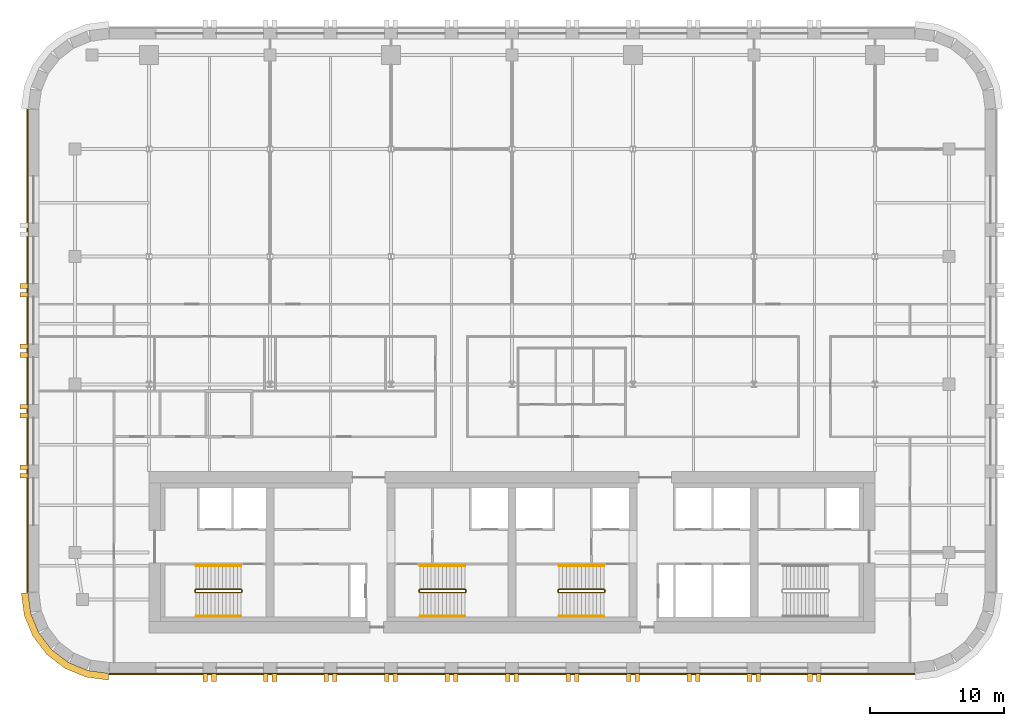
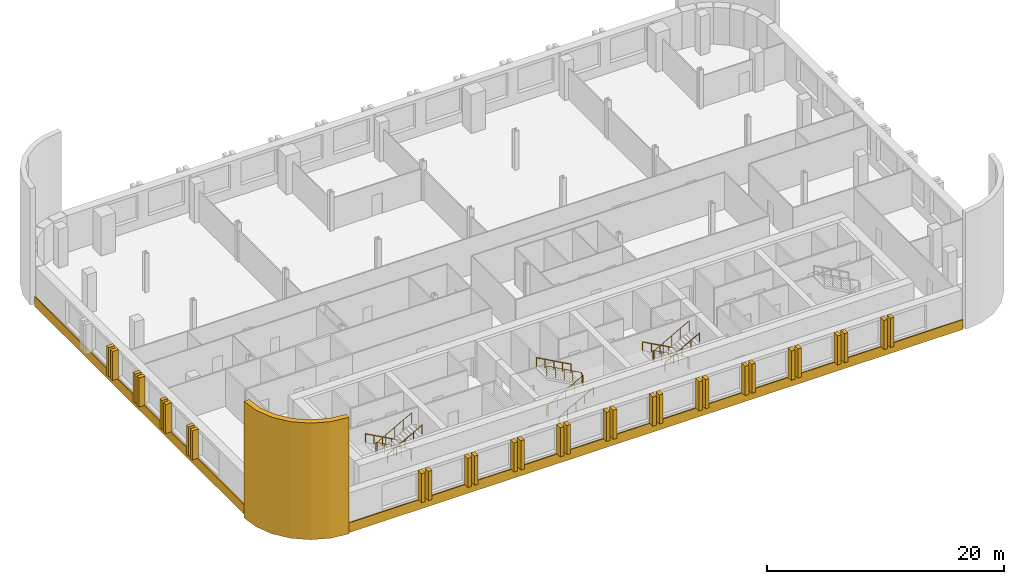
# One storey, part 8 of 9: 33 coverings, 9 railings.
"""IFC4 building model written with IfcOpenShell, lengths in metres."""

from ifc_helpers import new_model, si_unit, direction, frame, origin, origin_2d, place, context, subcontext, project, spatial, polyline, circle, outline, extrude, material, layer, layer_set, type_object, element, save


model = new_model("IFC4")

# Units and contexts
model_context = context("Model", 3, precision=1e-05, world=origin(), true_north=direction((0.0, 1.0)))
body_context = subcontext(model_context, "Body", "Model", "MODEL_VIEW")
ifc_project = project(units=[si_unit("LENGTHUNIT", "METRE"), si_unit("AREAUNIT", "SQUARE_METRE"), si_unit("VOLUMEUNIT", "CUBIC_METRE"), si_unit("PLANEANGLEUNIT", "RADIAN"), si_unit("MASSUNIT", "GRAM", prefix="KILO")], contexts=[model_context])

# Site, building, storey
site_placement = place(None, origin())
site = spatial("IfcSite", under=ifc_project, at=site_placement, CompositionType="ELEMENT")
building_placement = place(site_placement, origin())
building = spatial("IfcBuilding", under=site, at=building_placement, Name="Zellij Exchange Tower", CompositionType="ELEMENT")
storey_placement = place(building_placement, frame((0.0, 0.0, 200.5)))
storey = spatial("IfcBuildingStorey", under=building, at=storey_placement, Name="L46", CompositionType="ELEMENT", Elevation=200.5)

# Railings
ifc_material_1 = material(Name="Stainless steel", Category="steel")
railing_type_1 = type_object("IfcRailingType", Name="CORE-RG stair guard", PredefinedType="GUARDRAIL", material=ifc_material_1)
railing_1_placement = place(storey_placement, frame((-20.10009765625, -10.800048828125, 0.0)))
element("IfcRailing", 1, at=railing_1_placement, inside=storey, type_object=railing_type_1, Name="ST1 stair guard L46", PredefinedType="GUARDRAIL", context=body_context, shape_type="SweptSolid", body=[
    extrude(circle(Radius=0.02392578125, at=origin_2d()), frame((0.0, 0.0, 1.076171875), z_axis=(0.0, -1.0, 0.0), x_axis=(1.0, 0.0, 0.0)), (0.0, 0.0, 1.0), 0.14990234375),
    extrude(circle(Radius=0.02392578125, at=origin_2d()), frame((0.0, -0.14990234375, 1.076171875), z_axis=(-0.193691321961, 0.777613689637, 0.598164376644), x_axis=(-0.970351222016, -0.241699205484, 0.0)), (0.0, 0.0, 1.0), 0.257080078125),
    extrude(circle(Radius=0.02392578125, at=origin_2d()), frame((-0.0498046875, 0.050048828125, 1.22998046875), z_axis=(-0.876421534553, 0.0, 0.481544695509), x_axis=(0.0, -1.0, 0.0)), (0.0, 0.0, 1.0), 3.833984375),
    extrude(circle(Radius=0.02392578125, at=origin_2d()), frame((-3.409912109375, 0.050048828125, 3.076171875), z_axis=(-0.707106781187, -0.707106781187, 0.0), x_axis=(0.707106781187, -0.707106781187, 0.0)), (0.0, 0.0, 1.0), 0.07080078125),
    extrude(circle(Radius=0.02392578125, at=origin_2d()), frame((-3.4599609375, 0.0, 3.076171875), z_axis=(0.0, -1.0, 0.0), x_axis=(1.0, 0.0, 0.0)), (0.0, 0.0, 1.0), 0.14990234375),
    extrude(circle(Radius=0.02392578125, at=origin_2d()), frame((-3.4599609375, -0.14990234375, 3.076171875), z_axis=(0.295599637079, -0.295599637079, 0.908428152975), x_axis=(0.707106781187, 0.707106781187, 0.0)), (0.0, 0.0, 1.0), 0.16943359375),
    extrude(circle(Radius=0.02392578125, at=origin_2d()), frame((-3.409912109375, -0.199951171875, 3.22998046875), z_axis=(0.876421534553, 0.0, 0.481544695509), x_axis=(0.0, 1.0, 0.0)), (0.0, 0.0, 1.0), 3.833984375),
    extrude(circle(Radius=0.02099609375, at=origin_2d()), origin(), (0.0, 0.0, 1.0), 1.052001953125),
    extrude(circle(Radius=0.02099609375, at=origin_2d()), frame((0.0, -0.14990234375, 0.0)), (0.0, 0.0, 1.0), 1.052001953125),
    extrude(circle(Radius=0.02099609375, at=origin_2d()), frame((-0.0498046875, 0.050048828125, 0.15380859375)), (0.0, 0.0, 1.0), 1.052001953125),
    extrude(circle(Radius=0.02099609375, at=origin_2d()), frame((-0.889892578125, 0.050048828125, 0.615234375)), (0.0, 0.0, 1.0), 1.052001953125),
    extrude(circle(Radius=0.02099609375, at=origin_2d()), frame((-1.72998046875, 0.050048828125, 1.076904296875)), (0.0, 0.0, 1.0), 1.052001953125),
    extrude(circle(Radius=0.02099609375, at=origin_2d()), frame((-2.56982421875, 0.050048828125, 1.53857421875)), (0.0, 0.0, 1.0), 1.052001953125),
    extrude(circle(Radius=0.02099609375, at=origin_2d()), frame((-3.409912109375, 0.050048828125, 2.0)), (0.0, 0.0, 1.0), 1.052001953125),
    extrude(circle(Radius=0.02099609375, at=origin_2d()), frame((-3.4599609375, 0.0, 2.0)), (0.0, 0.0, 1.0), 1.052001953125),
    extrude(circle(Radius=0.02099609375, at=origin_2d()), frame((-3.4599609375, -0.14990234375, 2.0)), (0.0, 0.0, 1.0), 1.052001953125),
    extrude(circle(Radius=0.02099609375, at=origin_2d()), frame((-3.409912109375, -0.199951171875, 2.15380859375)), (0.0, 0.0, 1.0), 1.052001953125),
    extrude(circle(Radius=0.02099609375, at=origin_2d()), frame((-2.56982421875, -0.199951171875, 2.615234375)), (0.0, 0.0, 1.0), 1.052001953125),
    extrude(circle(Radius=0.02099609375, at=origin_2d()), frame((-1.72998046875, -0.199951171875, 3.076904296875)), (0.0, 0.0, 1.0), 1.052001953125),
    extrude(circle(Radius=0.02099609375, at=origin_2d()), frame((-0.889892578125, -0.199951171875, 3.53857421875)), (0.0, 0.0, 1.0), 1.052001953125),
    extrude(circle(Radius=0.02099609375, at=origin_2d()), frame((-0.0498046875, -0.199951171875, 4.0)), (0.0, 0.0, 1.0), 1.052001953125),
])
railing_2_placement = place(storey_placement, frame((-6.89990234375, -10.949951171875, 0.0)))
element("IfcRailing", 2, at=railing_2_placement, inside=storey, type_object=railing_type_1, Name="ST2 stair guard L46", PredefinedType="GUARDRAIL", context=body_context, shape_type="SweptSolid", body=[
    extrude(circle(Radius=0.02392578125, at=origin_2d()), frame((0.0, 0.0, 1.076171875), z_axis=(0.0, 1.0, 0.0), x_axis=(-1.0, 0.0, 0.0)), (0.0, 0.0, 1.0), 0.14990234375),
    extrude(circle(Radius=0.02392578125, at=origin_2d()), frame((0.0, 0.14990234375, 1.076171875), z_axis=(0.193691321961, -0.777613689637, 0.598164376644), x_axis=(0.970351222016, 0.241699205484, 0.0)), (0.0, 0.0, 1.0), 0.257080078125),
    extrude(circle(Radius=0.02392578125, at=origin_2d()), frame((0.0498046875, -0.050048828125, 1.22998046875), z_axis=(0.876421534553, 0.0, 0.481544695509), x_axis=(0.0, 1.0, 0.0)), (0.0, 0.0, 1.0), 3.833984375),
    extrude(circle(Radius=0.02392578125, at=origin_2d()), frame((3.409912109375, -0.050048828125, 3.076171875), z_axis=(0.707106781187, 0.707106781187, 0.0), x_axis=(-0.707106781187, 0.707106781187, 0.0)), (0.0, 0.0, 1.0), 0.07080078125),
    extrude(circle(Radius=0.02392578125, at=origin_2d()), frame((3.4599609375, 0.0, 3.076171875), z_axis=(0.0, 1.0, 0.0), x_axis=(-1.0, 0.0, 0.0)), (0.0, 0.0, 1.0), 0.14990234375),
    extrude(circle(Radius=0.02392578125, at=origin_2d()), frame((3.4599609375, 0.14990234375, 3.076171875), z_axis=(-0.295599637079, 0.295599637079, 0.908428152975), x_axis=(-0.707106781187, -0.707106781187, 0.0)), (0.0, 0.0, 1.0), 0.16943359375),
    extrude(circle(Radius=0.02392578125, at=origin_2d()), frame((3.409912109375, 0.199951171875, 3.22998046875), z_axis=(-0.876421534553, 0.0, 0.481544695509), x_axis=(0.0, -1.0, 0.0)), (0.0, 0.0, 1.0), 3.833984375),
    extrude(circle(Radius=0.02099609375, at=origin_2d()), origin(), (0.0, 0.0, 1.0), 1.052001953125),
    extrude(circle(Radius=0.02099609375, at=origin_2d()), frame((0.0, 0.14990234375, 0.0)), (0.0, 0.0, 1.0), 1.052001953125),
    extrude(circle(Radius=0.02099609375, at=origin_2d()), frame((0.0498046875, -0.050048828125, 0.15380859375)), (0.0, 0.0, 1.0), 1.052001953125),
    extrude(circle(Radius=0.02099609375, at=origin_2d()), frame((0.889892578125, -0.050048828125, 0.615234375)), (0.0, 0.0, 1.0), 1.052001953125),
    extrude(circle(Radius=0.02099609375, at=origin_2d()), frame((1.72998046875, -0.050048828125, 1.076904296875)), (0.0, 0.0, 1.0), 1.052001953125),
    extrude(circle(Radius=0.02099609375, at=origin_2d()), frame((2.56982421875, -0.050048828125, 1.53857421875)), (0.0, 0.0, 1.0), 1.052001953125),
    extrude(circle(Radius=0.02099609375, at=origin_2d()), frame((3.409912109375, -0.050048828125, 2.0)), (0.0, 0.0, 1.0), 1.052001953125),
    extrude(circle(Radius=0.02099609375, at=origin_2d()), frame((3.4599609375, 0.0, 2.0)), (0.0, 0.0, 1.0), 1.052001953125),
    extrude(circle(Radius=0.02099609375, at=origin_2d()), frame((3.4599609375, 0.14990234375, 2.0)), (0.0, 0.0, 1.0), 1.052001953125),
    extrude(circle(Radius=0.02099609375, at=origin_2d()), frame((3.409912109375, 0.199951171875, 2.15380859375)), (0.0, 0.0, 1.0), 1.052001953125),
    extrude(circle(Radius=0.02099609375, at=origin_2d()), frame((2.56982421875, 0.199951171875, 2.615234375)), (0.0, 0.0, 1.0), 1.052001953125),
    extrude(circle(Radius=0.02099609375, at=origin_2d()), frame((1.72998046875, 0.199951171875, 3.076904296875)), (0.0, 0.0, 1.0), 1.052001953125),
    extrude(circle(Radius=0.02099609375, at=origin_2d()), frame((0.889892578125, 0.199951171875, 3.53857421875)), (0.0, 0.0, 1.0), 1.052001953125),
    extrude(circle(Radius=0.02099609375, at=origin_2d()), frame((0.0498046875, 0.199951171875, 4.0)), (0.0, 0.0, 1.0), 1.052001953125),
])
railing_3_placement = place(storey_placement, frame((6.89990234375, -10.800048828125, 0.0)))
element("IfcRailing", 3, at=railing_3_placement, inside=storey, type_object=railing_type_1, Name="ST3 stair guard L46", PredefinedType="GUARDRAIL", context=body_context, shape_type="SweptSolid", body=[
    extrude(circle(Radius=0.02392578125, at=origin_2d()), frame((0.0, 0.0, 1.076171875), z_axis=(0.0, -1.0, 0.0), x_axis=(1.0, 0.0, 0.0)), (0.0, 0.0, 1.0), 0.14990234375),
    extrude(circle(Radius=0.02392578125, at=origin_2d()), frame((0.0, -0.14990234375, 1.076171875), z_axis=(-0.193691321961, 0.777613689637, 0.598164376644), x_axis=(-0.970351222016, -0.241699205484, 0.0)), (0.0, 0.0, 1.0), 0.257080078125),
    extrude(circle(Radius=0.02392578125, at=origin_2d()), frame((-0.0498046875, 0.050048828125, 1.22998046875), z_axis=(-0.876421534553, 0.0, 0.481544695509), x_axis=(0.0, -1.0, 0.0)), (0.0, 0.0, 1.0), 3.833984375),
    extrude(circle(Radius=0.02392578125, at=origin_2d()), frame((-3.409912109375, 0.050048828125, 3.076171875), z_axis=(-0.707106781187, -0.707106781187, 0.0), x_axis=(0.707106781187, -0.707106781187, 0.0)), (0.0, 0.0, 1.0), 0.07080078125),
    extrude(circle(Radius=0.02392578125, at=origin_2d()), frame((-3.4599609375, 0.0, 3.076171875), z_axis=(0.0, -1.0, 0.0), x_axis=(1.0, 0.0, 0.0)), (0.0, 0.0, 1.0), 0.14990234375),
    extrude(circle(Radius=0.02392578125, at=origin_2d()), frame((-3.4599609375, -0.14990234375, 3.076171875), z_axis=(0.295599637079, -0.295599637079, 0.908428152975), x_axis=(0.707106781187, 0.707106781187, 0.0)), (0.0, 0.0, 1.0), 0.16943359375),
    extrude(circle(Radius=0.02392578125, at=origin_2d()), frame((-3.409912109375, -0.199951171875, 3.22998046875), z_axis=(0.876421534553, 0.0, 0.481544695509), x_axis=(0.0, 1.0, 0.0)), (0.0, 0.0, 1.0), 3.833984375),
    extrude(circle(Radius=0.02099609375, at=origin_2d()), origin(), (0.0, 0.0, 1.0), 1.052001953125),
    extrude(circle(Radius=0.02099609375, at=origin_2d()), frame((0.0, -0.14990234375, 0.0)), (0.0, 0.0, 1.0), 1.052001953125),
    extrude(circle(Radius=0.02099609375, at=origin_2d()), frame((-0.0498046875, 0.050048828125, 0.15380859375)), (0.0, 0.0, 1.0), 1.052001953125),
    extrude(circle(Radius=0.02099609375, at=origin_2d()), frame((-0.889892578125, 0.050048828125, 0.615234375)), (0.0, 0.0, 1.0), 1.052001953125),
    extrude(circle(Radius=0.02099609375, at=origin_2d()), frame((-1.72998046875, 0.050048828125, 1.076904296875)), (0.0, 0.0, 1.0), 1.052001953125),
    extrude(circle(Radius=0.02099609375, at=origin_2d()), frame((-2.56982421875, 0.050048828125, 1.53857421875)), (0.0, 0.0, 1.0), 1.052001953125),
    extrude(circle(Radius=0.02099609375, at=origin_2d()), frame((-3.409912109375, 0.050048828125, 2.0)), (0.0, 0.0, 1.0), 1.052001953125),
    extrude(circle(Radius=0.02099609375, at=origin_2d()), frame((-3.4599609375, 0.0, 2.0)), (0.0, 0.0, 1.0), 1.052001953125),
    extrude(circle(Radius=0.02099609375, at=origin_2d()), frame((-3.4599609375, -0.14990234375, 2.0)), (0.0, 0.0, 1.0), 1.052001953125),
    extrude(circle(Radius=0.02099609375, at=origin_2d()), frame((-3.409912109375, -0.199951171875, 2.15380859375)), (0.0, 0.0, 1.0), 1.052001953125),
    extrude(circle(Radius=0.02099609375, at=origin_2d()), frame((-2.56982421875, -0.199951171875, 2.615234375)), (0.0, 0.0, 1.0), 1.052001953125),
    extrude(circle(Radius=0.02099609375, at=origin_2d()), frame((-1.72998046875, -0.199951171875, 3.076904296875)), (0.0, 0.0, 1.0), 1.052001953125),
    extrude(circle(Radius=0.02099609375, at=origin_2d()), frame((-0.889892578125, -0.199951171875, 3.53857421875)), (0.0, 0.0, 1.0), 1.052001953125),
    extrude(circle(Radius=0.02099609375, at=origin_2d()), frame((-0.0498046875, -0.199951171875, 4.0)), (0.0, 0.0, 1.0), 1.052001953125),
])
railing_type_2 = type_object("IfcRailingType", Name="CORE-RH stair handrail", PredefinedType="HANDRAIL", material=ifc_material_1)
railing_4_placement = place(storey_placement, frame((-20.14990234375, -9.0, 0.15380859375)))
element("IfcRailing", 4, at=railing_4_placement, inside=storey, type_object=railing_type_2, Name="ST1 stair handrail L46", PredefinedType="HANDRAIL", context=body_context, shape_type="SweptSolid", body=[
    extrude(circle(Radius=0.02392578125, at=origin_2d()), frame((0.0, 0.0, 0.8759765625), z_axis=(-0.876421534553, 0.0, 0.481544695509), x_axis=(0.0, -1.0, 0.0)), (0.0, 0.0, 1.0), 3.833984375),
    extrude(circle(Radius=0.02099609375, at=origin_2d()), origin(), (0.0, 0.0, 1.0), 0.851806640625),
    extrude(circle(Radius=0.02099609375, at=origin_2d()), frame((-0.840087890625, 0.0, 0.46142578125)), (0.0, 0.0, 1.0), 0.851806640625),
    extrude(circle(Radius=0.02099609375, at=origin_2d()), frame((-1.68017578125, 0.0, 0.923095703125)), (0.0, 0.0, 1.0), 0.851806640625),
    extrude(circle(Radius=0.02099609375, at=origin_2d()), frame((-2.52001953125, 0.0, 1.384765625)), (0.0, 0.0, 1.0), 0.851806640625),
    extrude(circle(Radius=0.02099609375, at=origin_2d()), frame((-3.360107421875, 0.0, 1.84619140625)), (0.0, 0.0, 1.0), 0.851806640625),
])
for number, where, name in (
    (5, (-23.510009765625, -12.75, 2.15380859375), "ST1 stair handrail L46"),
    (6, (-6.85009765625, -12.75, 0.15380859375), "ST2 stair handrail L46"),
):
    element("IfcRailing", number, at=place(storey_placement, frame(where)), inside=storey, type_object=railing_type_2, Name=name, PredefinedType="HANDRAIL", context=body_context, shape_type="SweptSolid", body=[
        extrude(circle(Radius=0.02392578125, at=origin_2d()), frame((0.0, 0.0, 0.8759765625), z_axis=(0.876421534553, 0.0, 0.481544695509), x_axis=(0.0, 1.0, 0.0)), (0.0, 0.0, 1.0), 3.833984375),
        extrude(circle(Radius=0.02099609375, at=origin_2d()), origin(), (0.0, 0.0, 1.0), 0.851806640625),
        extrude(circle(Radius=0.02099609375, at=origin_2d()), frame((0.840087890625, 0.0, 0.46142578125)), (0.0, 0.0, 1.0), 0.851806640625),
        extrude(circle(Radius=0.02099609375, at=origin_2d()), frame((1.68017578125, 0.0, 0.923095703125)), (0.0, 0.0, 1.0), 0.851806640625),
        extrude(circle(Radius=0.02099609375, at=origin_2d()), frame((2.52001953125, 0.0, 1.384765625)), (0.0, 0.0, 1.0), 0.851806640625),
        extrude(circle(Radius=0.02099609375, at=origin_2d()), frame((3.360107421875, 0.0, 1.84619140625)), (0.0, 0.0, 1.0), 0.851806640625),
    ])
for number, where, name in (
    (7, (-3.489990234375, -9.0, 2.15380859375), "ST2 stair handrail L46"),
    (8, (6.85009765625, -9.0, 0.15380859375), "ST3 stair handrail L46"),
):
    element("IfcRailing", number, at=place(storey_placement, frame(where)), inside=storey, type_object=railing_type_2, Name=name, PredefinedType="HANDRAIL", context=body_context, shape_type="SweptSolid", body=[
        extrude(circle(Radius=0.02392578125, at=origin_2d()), frame((0.0, 0.0, 0.8759765625), z_axis=(-0.876421534553, 0.0, 0.481544695509), x_axis=(0.0, -1.0, 0.0)), (0.0, 0.0, 1.0), 3.833984375),
        extrude(circle(Radius=0.02099609375, at=origin_2d()), origin(), (0.0, 0.0, 1.0), 0.851806640625),
        extrude(circle(Radius=0.02099609375, at=origin_2d()), frame((-0.840087890625, 0.0, 0.46142578125)), (0.0, 0.0, 1.0), 0.851806640625),
        extrude(circle(Radius=0.02099609375, at=origin_2d()), frame((-1.68017578125, 0.0, 0.923095703125)), (0.0, 0.0, 1.0), 0.851806640625),
        extrude(circle(Radius=0.02099609375, at=origin_2d()), frame((-2.52001953125, 0.0, 1.384765625)), (0.0, 0.0, 1.0), 0.851806640625),
        extrude(circle(Radius=0.02099609375, at=origin_2d()), frame((-3.360107421875, 0.0, 1.84619140625)), (0.0, 0.0, 1.0), 0.851806640625),
    ])
railing_5_placement = place(storey_placement, frame((3.489990234375, -12.75, 2.15380859375)))
element("IfcRailing", 9, at=railing_5_placement, inside=storey, type_object=railing_type_2, Name="ST3 stair handrail L46", PredefinedType="HANDRAIL", context=body_context, shape_type="SweptSolid", body=[
    extrude(circle(Radius=0.02392578125, at=origin_2d()), frame((0.0, 0.0, 0.8759765625), z_axis=(0.876421534553, 0.0, 0.481544695509), x_axis=(0.0, 1.0, 0.0)), (0.0, 0.0, 1.0), 3.833984375),
    extrude(circle(Radius=0.02099609375, at=origin_2d()), origin(), (0.0, 0.0, 1.0), 0.851806640625),
    extrude(circle(Radius=0.02099609375, at=origin_2d()), frame((0.840087890625, 0.0, 0.46142578125)), (0.0, 0.0, 1.0), 0.851806640625),
    extrude(circle(Radius=0.02099609375, at=origin_2d()), frame((1.68017578125, 0.0, 0.923095703125)), (0.0, 0.0, 1.0), 0.851806640625),
    extrude(circle(Radius=0.02099609375, at=origin_2d()), frame((2.52001953125, 0.0, 1.384765625)), (0.0, 0.0, 1.0), 0.851806640625),
    extrude(circle(Radius=0.02099609375, at=origin_2d()), frame((3.360107421875, 0.0, 1.84619140625)), (0.0, 0.0, 1.0), 0.851806640625),
])

# Coverings
ifc_material_2 = material(Name="Limestone cladding", Category="masonry")
ifc_layer_1 = layer(ifc_material_2, 0.5)
ifc_layer_set_1 = layer_set([ifc_layer_1], Name="Limestone cladding")
covering_type_1 = type_object("IfcCoveringType", Name="ENV-CV12 Stone corner pier 500", PredefinedType="CLADDING", material=ifc_layer_set_1)
covering_1_placement = place(storey_placement, origin())
element("IfcCovering", 10, at=covering_1_placement, inside=storey, type_object=covering_type_1, Name="Stone corner pier", PredefinedType="CLADDING", context=body_context, shape_type="SweptSolid", body=[
    extrude(outline(polyline([(-36.0, -11.0), (-35.795654296875, -12.552978515625), (-35.1962890625, -14.0), (-34.24267578125, -15.24267578125), (-33.0, -16.1962890625), (-31.552978515625, -16.795654296875), (-30.0, -17.0), (-30.03271484375, -17.5), (-31.683349609375, -17.28271484375), (-33.252197265625, -16.6328125), (-34.59912109375, -15.59912109375), (-35.6328125, -14.252197265625), (-36.28271484375, -12.683349609375), (-36.5, -11.03271484375), (-36.0, -11.0)])), origin(), (0.0, 0.0, 1.0), 12.0),
])
covering_type_2 = type_object("IfcCoveringType", Name="ENV-CV3 Stone pier 350x600", PredefinedType="CLADDING", material=ifc_material_2)
covering_2_placement = place(storey_placement, frame((0.0, 0.0, 0.800048828125)))
element("IfcCovering", 11, at=covering_2_placement, inside=storey, type_object=covering_type_2, Name="Stone pier", PredefinedType="CLADDING", context=body_context, shape_type="SweptSolid", body=[
    extrude(outline(polyline([(-23.0, -17.0), (-22.64990234375, -17.0), (-22.64990234375, -17.60009765625), (-23.0, -17.60009765625), (-23.0, -17.0)])), origin(), (0.0, 0.0, 1.0), 3.0),
])
covering_3_placement = place(storey_placement, frame((0.0, 0.0, 0.800048828125)))
element("IfcCovering", 12, at=covering_3_placement, inside=storey, type_object=covering_type_2, Name="Stone pier", PredefinedType="CLADDING", context=body_context, shape_type="SweptSolid", body=[
    extrude(outline(polyline([(-22.35009765625, -17.0), (-22.0, -17.0), (-22.0, -17.60009765625), (-22.35009765625, -17.60009765625), (-22.35009765625, -17.0)])), origin(), (0.0, 0.0, 1.0), 3.0),
])
covering_4_placement = place(storey_placement, frame((0.0, 0.0, 0.800048828125)))
element("IfcCovering", 13, at=covering_4_placement, inside=storey, type_object=covering_type_2, Name="Stone pier", PredefinedType="CLADDING", context=body_context, shape_type="SweptSolid", body=[
    extrude(outline(polyline([(-18.5, -17.0), (-18.14990234375, -17.0), (-18.14990234375, -17.60009765625), (-18.5, -17.60009765625), (-18.5, -17.0)])), origin(), (0.0, 0.0, 1.0), 3.0),
])
covering_5_placement = place(storey_placement, frame((0.0, 0.0, 0.800048828125)))
element("IfcCovering", 14, at=covering_5_placement, inside=storey, type_object=covering_type_2, Name="Stone pier", PredefinedType="CLADDING", context=body_context, shape_type="SweptSolid", body=[
    extrude(outline(polyline([(-17.85009765625, -17.0), (-17.5, -17.0), (-17.5, -17.60009765625), (-17.85009765625, -17.60009765625), (-17.85009765625, -17.0)])), origin(), (0.0, 0.0, 1.0), 3.0),
])
covering_6_placement = place(storey_placement, frame((0.0, 0.0, 0.800048828125)))
element("IfcCovering", 15, at=covering_6_placement, inside=storey, type_object=covering_type_2, Name="Stone pier", PredefinedType="CLADDING", context=body_context, shape_type="SweptSolid", body=[
    extrude(outline(polyline([(-14.0, -17.0), (-13.64990234375, -17.0), (-13.64990234375, -17.60009765625), (-14.0, -17.60009765625), (-14.0, -17.0)])), origin(), (0.0, 0.0, 1.0), 3.0),
])
covering_7_placement = place(storey_placement, frame((0.0, 0.0, 0.800048828125)))
element("IfcCovering", 16, at=covering_7_placement, inside=storey, type_object=covering_type_2, Name="Stone pier", PredefinedType="CLADDING", context=body_context, shape_type="SweptSolid", body=[
    extrude(outline(polyline([(-13.35009765625, -17.0), (-13.0, -17.0), (-13.0, -17.60009765625), (-13.35009765625, -17.60009765625), (-13.35009765625, -17.0)])), origin(), (0.0, 0.0, 1.0), 3.0),
])
covering_8_placement = place(storey_placement, frame((0.0, 0.0, 0.800048828125)))
element("IfcCovering", 17, at=covering_8_placement, inside=storey, type_object=covering_type_2, Name="Stone pier", PredefinedType="CLADDING", context=body_context, shape_type="SweptSolid", body=[
    extrude(outline(polyline([(-9.5, -17.0), (-9.14990234375, -17.0), (-9.14990234375, -17.60009765625), (-9.5, -17.60009765625), (-9.5, -17.0)])), origin(), (0.0, 0.0, 1.0), 3.0),
])
covering_9_placement = place(storey_placement, frame((0.0, 0.0, 0.800048828125)))
element("IfcCovering", 18, at=covering_9_placement, inside=storey, type_object=covering_type_2, Name="Stone pier", PredefinedType="CLADDING", context=body_context, shape_type="SweptSolid", body=[
    extrude(outline(polyline([(-8.85009765625, -17.0), (-8.5, -17.0), (-8.5, -17.60009765625), (-8.85009765625, -17.60009765625), (-8.85009765625, -17.0)])), origin(), (0.0, 0.0, 1.0), 3.0),
])
covering_10_placement = place(storey_placement, frame((0.0, 0.0, 0.800048828125)))
element("IfcCovering", 19, at=covering_10_placement, inside=storey, type_object=covering_type_2, Name="Stone pier", PredefinedType="CLADDING", context=body_context, shape_type="SweptSolid", body=[
    extrude(outline(polyline([(-5.0, -17.0), (-4.64990234375, -17.0), (-4.64990234375, -17.60009765625), (-5.0, -17.60009765625), (-5.0, -17.0)])), origin(), (0.0, 0.0, 1.0), 3.0),
])
covering_11_placement = place(storey_placement, frame((0.0, 0.0, 0.800048828125)))
element("IfcCovering", 20, at=covering_11_placement, inside=storey, type_object=covering_type_2, Name="Stone pier", PredefinedType="CLADDING", context=body_context, shape_type="SweptSolid", body=[
    extrude(outline(polyline([(-4.35009765625, -17.0), (-4.0, -17.0), (-4.0, -17.60009765625), (-4.35009765625, -17.60009765625), (-4.35009765625, -17.0)])), origin(), (0.0, 0.0, 1.0), 3.0),
])
covering_12_placement = place(storey_placement, frame((0.0, 0.0, 0.800048828125)))
element("IfcCovering", 21, at=covering_12_placement, inside=storey, type_object=covering_type_2, Name="Stone pier", PredefinedType="CLADDING", context=body_context, shape_type="SweptSolid", body=[
    extrude(outline(polyline([(-0.5, -17.0), (-0.14990234375, -17.0), (-0.14990234375, -17.60009765625), (-0.5, -17.60009765625), (-0.5, -17.0)])), origin(), (0.0, 0.0, 1.0), 3.0),
])
covering_13_placement = place(storey_placement, frame((0.0, 0.0, 0.800048828125)))
element("IfcCovering", 22, at=covering_13_placement, inside=storey, type_object=covering_type_2, Name="Stone pier", PredefinedType="CLADDING", context=body_context, shape_type="SweptSolid", body=[
    extrude(outline(polyline([(0.14990234375, -17.0), (0.5, -17.0), (0.5, -17.60009765625), (0.14990234375, -17.60009765625), (0.14990234375, -17.0)])), origin(), (0.0, 0.0, 1.0), 3.0),
])
covering_14_placement = place(storey_placement, frame((0.0, 0.0, 0.800048828125)))
element("IfcCovering", 23, at=covering_14_placement, inside=storey, type_object=covering_type_2, Name="Stone pier", PredefinedType="CLADDING", context=body_context, shape_type="SweptSolid", body=[
    extrude(outline(polyline([(4.0, -17.0), (4.35009765625, -17.0), (4.35009765625, -17.60009765625), (4.0, -17.60009765625), (4.0, -17.0)])), origin(), (0.0, 0.0, 1.0), 3.0),
])
covering_15_placement = place(storey_placement, frame((0.0, 0.0, 0.800048828125)))
element("IfcCovering", 24, at=covering_15_placement, inside=storey, type_object=covering_type_2, Name="Stone pier", PredefinedType="CLADDING", context=body_context, shape_type="SweptSolid", body=[
    extrude(outline(polyline([(4.64990234375, -17.0), (5.0, -17.0), (5.0, -17.60009765625), (4.64990234375, -17.60009765625), (4.64990234375, -17.0)])), origin(), (0.0, 0.0, 1.0), 3.0),
])
covering_16_placement = place(storey_placement, frame((0.0, 0.0, 0.800048828125)))
element("IfcCovering", 25, at=covering_16_placement, inside=storey, type_object=covering_type_2, Name="Stone pier", PredefinedType="CLADDING", context=body_context, shape_type="SweptSolid", body=[
    extrude(outline(polyline([(8.5, -17.0), (8.85009765625, -17.0), (8.85009765625, -17.60009765625), (8.5, -17.60009765625), (8.5, -17.0)])), origin(), (0.0, 0.0, 1.0), 3.0),
])
covering_17_placement = place(storey_placement, frame((0.0, 0.0, 0.800048828125)))
element("IfcCovering", 26, at=covering_17_placement, inside=storey, type_object=covering_type_2, Name="Stone pier", PredefinedType="CLADDING", context=body_context, shape_type="SweptSolid", body=[
    extrude(outline(polyline([(9.14990234375, -17.0), (9.5, -17.0), (9.5, -17.60009765625), (9.14990234375, -17.60009765625), (9.14990234375, -17.0)])), origin(), (0.0, 0.0, 1.0), 3.0),
])
covering_18_placement = place(storey_placement, frame((0.0, 0.0, 0.800048828125)))
element("IfcCovering", 27, at=covering_18_placement, inside=storey, type_object=covering_type_2, Name="Stone pier", PredefinedType="CLADDING", context=body_context, shape_type="SweptSolid", body=[
    extrude(outline(polyline([(13.0, -17.0), (13.35009765625, -17.0), (13.35009765625, -17.60009765625), (13.0, -17.60009765625), (13.0, -17.0)])), origin(), (0.0, 0.0, 1.0), 3.0),
])
covering_19_placement = place(storey_placement, frame((0.0, 0.0, 0.800048828125)))
element("IfcCovering", 28, at=covering_19_placement, inside=storey, type_object=covering_type_2, Name="Stone pier", PredefinedType="CLADDING", context=body_context, shape_type="SweptSolid", body=[
    extrude(outline(polyline([(13.64990234375, -17.0), (14.0, -17.0), (14.0, -17.60009765625), (13.64990234375, -17.60009765625), (13.64990234375, -17.0)])), origin(), (0.0, 0.0, 1.0), 3.0),
])
covering_20_placement = place(storey_placement, frame((0.0, 0.0, 0.800048828125)))
element("IfcCovering", 29, at=covering_20_placement, inside=storey, type_object=covering_type_2, Name="Stone pier", PredefinedType="CLADDING", context=body_context, shape_type="SweptSolid", body=[
    extrude(outline(polyline([(17.5, -17.0), (17.85009765625, -17.0), (17.85009765625, -17.60009765625), (17.5, -17.60009765625), (17.5, -17.0)])), origin(), (0.0, 0.0, 1.0), 3.0),
])
covering_21_placement = place(storey_placement, frame((0.0, 0.0, 0.800048828125)))
element("IfcCovering", 30, at=covering_21_placement, inside=storey, type_object=covering_type_2, Name="Stone pier", PredefinedType="CLADDING", context=body_context, shape_type="SweptSolid", body=[
    extrude(outline(polyline([(18.14990234375, -17.0), (18.5, -17.0), (18.5, -17.60009765625), (18.14990234375, -17.60009765625), (18.14990234375, -17.0)])), origin(), (0.0, 0.0, 1.0), 3.0),
])
covering_22_placement = place(storey_placement, frame((0.0, 0.0, 0.800048828125)))
element("IfcCovering", 31, at=covering_22_placement, inside=storey, type_object=covering_type_2, Name="Stone pier", PredefinedType="CLADDING", context=body_context, shape_type="SweptSolid", body=[
    extrude(outline(polyline([(22.0, -17.0), (22.35009765625, -17.0), (22.35009765625, -17.60009765625), (22.0, -17.60009765625), (22.0, -17.0)])), origin(), (0.0, 0.0, 1.0), 3.0),
])
covering_23_placement = place(storey_placement, frame((0.0, 0.0, 0.800048828125)))
element("IfcCovering", 32, at=covering_23_placement, inside=storey, type_object=covering_type_2, Name="Stone pier", PredefinedType="CLADDING", context=body_context, shape_type="SweptSolid", body=[
    extrude(outline(polyline([(22.64990234375, -17.0), (23.0, -17.0), (23.0, -17.60009765625), (22.64990234375, -17.60009765625), (22.64990234375, -17.0)])), origin(), (0.0, 0.0, 1.0), 3.0),
])
covering_24_placement = place(storey_placement, frame((0.0, 0.0, 0.800048828125)))
element("IfcCovering", 33, at=covering_24_placement, inside=storey, type_object=covering_type_2, Name="Stone pier", PredefinedType="CLADDING", context=body_context, shape_type="SweptSolid", body=[
    extrude(outline(polyline([(-36.0, 11.993408203125), (-36.0, 11.6435546875), (-36.60009765625, 11.6435546875), (-36.60009765625, 11.993408203125), (-36.0, 11.993408203125)])), origin(), (0.0, 0.0, 1.0), 3.0),
])
covering_25_placement = place(storey_placement, frame((0.0, 0.0, 0.800048828125)))
element("IfcCovering", 34, at=covering_25_placement, inside=storey, type_object=covering_type_2, Name="Stone pier", PredefinedType="CLADDING", context=body_context, shape_type="SweptSolid", body=[
    extrude(outline(polyline([(-36.0, 11.343505859375), (-36.0, 10.993408203125), (-36.60009765625, 10.993408203125), (-36.60009765625, 11.343505859375), (-36.0, 11.343505859375)])), origin(), (0.0, 0.0, 1.0), 3.0),
])
covering_26_placement = place(storey_placement, frame((0.0, 0.0, 0.800048828125)))
element("IfcCovering", 35, at=covering_26_placement, inside=storey, type_object=covering_type_2, Name="Stone pier", PredefinedType="CLADDING", context=body_context, shape_type="SweptSolid", body=[
    extrude(outline(polyline([(-36.0, 7.5), (-36.0, 7.14990234375), (-36.60009765625, 7.14990234375), (-36.60009765625, 7.5), (-36.0, 7.5)])), origin(), (0.0, 0.0, 1.0), 3.0),
])
covering_27_placement = place(storey_placement, frame((0.0, 0.0, 0.800048828125)))
element("IfcCovering", 36, at=covering_27_placement, inside=storey, type_object=covering_type_2, Name="Stone pier", PredefinedType="CLADDING", context=body_context, shape_type="SweptSolid", body=[
    extrude(outline(polyline([(-36.0, 6.85009765625), (-36.0, 6.5), (-36.60009765625, 6.5), (-36.60009765625, 6.85009765625), (-36.0, 6.85009765625)])), origin(), (0.0, 0.0, 1.0), 3.0),
])
covering_28_placement = place(storey_placement, frame((0.0, 0.0, 0.800048828125)))
element("IfcCovering", 37, at=covering_28_placement, inside=storey, type_object=covering_type_2, Name="Stone pier", PredefinedType="CLADDING", context=body_context, shape_type="SweptSolid", body=[
    extrude(outline(polyline([(-36.0, 3.006591796875), (-36.0, 2.656494140625), (-36.60009765625, 2.656494140625), (-36.60009765625, 3.006591796875), (-36.0, 3.006591796875)])), origin(), (0.0, 0.0, 1.0), 3.0),
])
covering_29_placement = place(storey_placement, frame((0.0, 0.0, 0.800048828125)))
element("IfcCovering", 38, at=covering_29_placement, inside=storey, type_object=covering_type_2, Name="Stone pier", PredefinedType="CLADDING", context=body_context, shape_type="SweptSolid", body=[
    extrude(outline(polyline([(-36.0, 2.356689453125), (-36.0, 2.006591796875), (-36.60009765625, 2.006591796875), (-36.60009765625, 2.356689453125), (-36.0, 2.356689453125)])), origin(), (0.0, 0.0, 1.0), 3.0),
])
covering_30_placement = place(storey_placement, frame((0.0, 0.0, 0.800048828125)))
element("IfcCovering", 39, at=covering_30_placement, inside=storey, type_object=covering_type_2, Name="Stone pier", PredefinedType="CLADDING", context=body_context, shape_type="SweptSolid", body=[
    extrude(outline(polyline([(-36.0, -1.48681640625), (-36.0, -1.8369140625), (-36.60009765625, -1.8369140625), (-36.60009765625, -1.48681640625), (-36.0, -1.48681640625)])), origin(), (0.0, 0.0, 1.0), 3.0),
])
covering_31_placement = place(storey_placement, frame((0.0, 0.0, 0.800048828125)))
element("IfcCovering", 40, at=covering_31_placement, inside=storey, type_object=covering_type_2, Name="Stone pier", PredefinedType="CLADDING", context=body_context, shape_type="SweptSolid", body=[
    extrude(outline(polyline([(-36.0, -2.136962890625), (-36.0, -2.48681640625), (-36.60009765625, -2.48681640625), (-36.60009765625, -2.136962890625), (-36.0, -2.136962890625)])), origin(), (0.0, 0.0, 1.0), 3.0),
])
ifc_layer_2 = layer(ifc_material_2, 0.10009765625)
ifc_layer_set_2 = layer_set([ifc_layer_2], Name="Limestone cladding")
covering_type_3 = type_object("IfcCoveringType", Name="ENV-CV9 Stone spandrel band 100", PredefinedType="CLADDING", material=ifc_layer_set_2)
covering_32_placement = place(storey_placement, frame((0.0, 0.0, -0.199951171875)))
element("IfcCovering", 41, at=covering_32_placement, inside=storey, type_object=covering_type_3, Name="Stone spandrel band", PredefinedType="CLADDING", context=body_context, shape_type="SweptSolid", body=[
    extrude(outline(polyline([(-29.973876953125, -17.0), (29.973876953125, -17.0), (29.980224609375, -17.10009765625), (-29.980224609375, -17.10009765625), (-29.973876953125, -17.0)])), origin(), (0.0, 0.0, 1.0), 1.0),
])
covering_33_placement = place(storey_placement, frame((0.0, 0.0, -0.199951171875)))
element("IfcCovering", 42, at=covering_33_placement, inside=storey, type_object=covering_type_3, Name="Stone spandrel band", PredefinedType="CLADDING", context=body_context, shape_type="SweptSolid", body=[
    extrude(outline(polyline([(-36.0, 24.973876953125), (-36.0, -10.973876953125), (-36.10009765625, -10.980224609375), (-36.10009765625, 24.980224609375), (-36.0, 24.973876953125)])), origin(), (0.0, 0.0, 1.0), 1.0),
])

save(model, "model.ifc")
